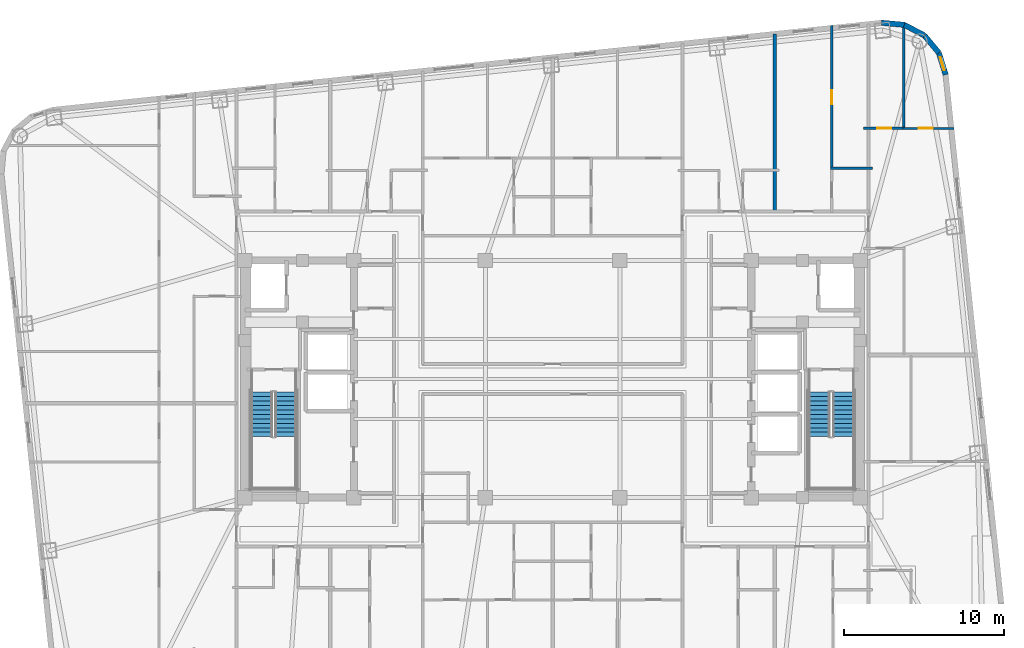
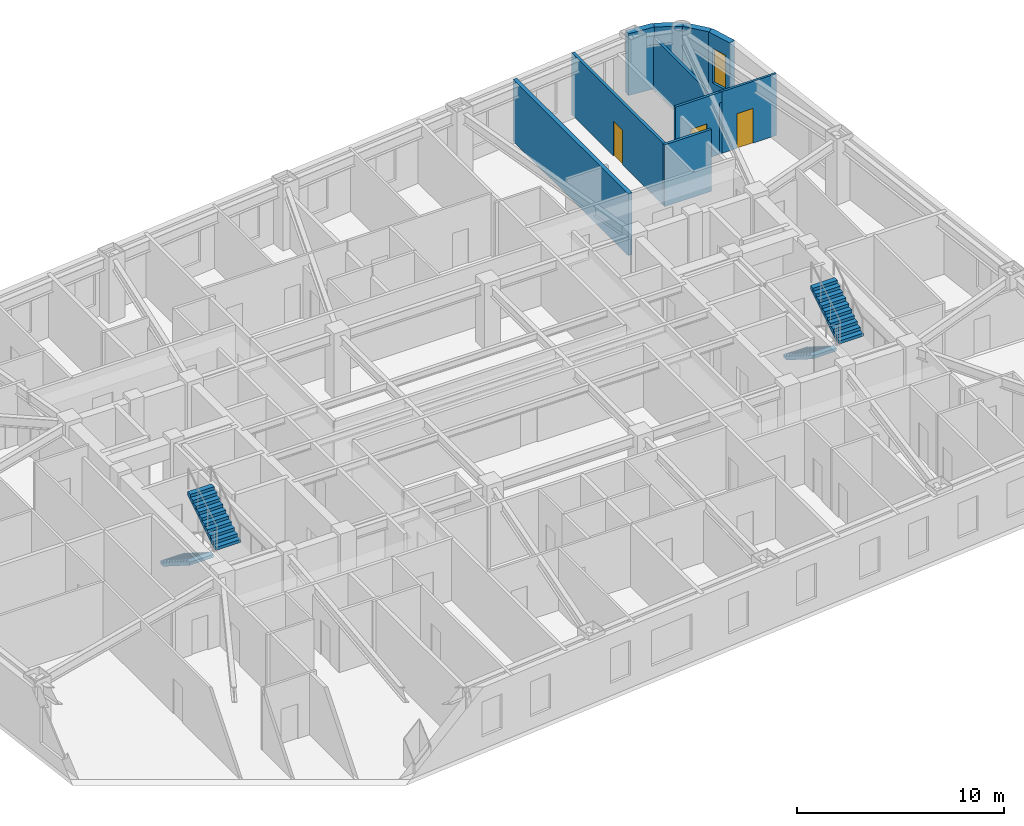
# One storey, part 9 of 12: 10 walls, 4 stair flights, 3 doors, 1 window, 4 openings, 2 elements without a shape of their own.
"""IFC4 building model written with IfcOpenShell, lengths in metres."""

from ifc_helpers import new_model, si_unit, direction, frame, frame_2d, origin, place, context, subcontext, project, spatial, polyline, rectangle, outline, extrude, material, layer, layer_set, type_object, element, fill, aggregate, save


model = new_model("IFC4")

# Units and contexts
model_context = context("Model", 3, precision=1e-05, world=origin(), true_north=direction((0.0, 1.0)))
body_context = subcontext(model_context, "Body", "Model", "MODEL_VIEW")
ifc_project = project(units=[si_unit("LENGTHUNIT", "METRE"), si_unit("AREAUNIT", "SQUARE_METRE"), si_unit("VOLUMEUNIT", "CUBIC_METRE"), si_unit("PLANEANGLEUNIT", "RADIAN"), si_unit("MASSUNIT", "GRAM", prefix="KILO")], contexts=[model_context])

# Site, building, storey
site_placement = place(None, origin())
site = spatial("IfcSite", under=ifc_project, at=site_placement, CompositionType="ELEMENT")
building_placement = place(site_placement, origin())
building = spatial("IfcBuilding", under=site, at=building_placement, Name="Voryun Gate Residences", CompositionType="ELEMENT")
storey_placement = place(building_placement, frame((0.0, 0.0, 159.89990234375)))
storey = spatial("IfcBuildingStorey", under=building, at=storey_placement, Name="L39", CompositionType="ELEMENT", Elevation=159.89990234375)

# Walls
ifc_material_1 = material(Name="Charcoal terracotta masonry", Category="masonry")
ifc_layer_1 = layer(ifc_material_1, 0.340087890625, Name="W_EXT_TERRACOTTA_340")
ifc_layer_set_1 = layer_set([ifc_layer_1], Name="Charcoal terracotta masonry")
wall_type_1 = type_object("IfcWallType", Name="W_EXT_TERRACOTTA_340", PredefinedType="ELEMENTEDWALL", material=ifc_layer_set_1)
wall_1_placement = place(storey_placement, frame((20.5263671875, 22.235107421875, 0.0), z_axis=(0.0, 0.0, 1.0), x_axis=(0.995800460351, -0.091550222087, 0.0)))
element("IfcWall", 1, at=wall_1_placement, inside=storey, type_object=wall_type_1, Name="Exterior wall WEXT-L39-12", PredefinedType="ELEMENTEDWALL", context=body_context, shape_type="SweptSolid", body=[
    extrude(rectangle(XDim=1.43212890625, YDim=0.340087890625, at=frame_2d((0.716064453125, 0.0))), origin(), (0.0, 0.0, 1.0), 3.650146484375),
])
wall_2_placement = place(storey_placement, frame((21.952392578125, 22.10400390625, 0.0), z_axis=(0.0, 0.0, 1.0), x_axis=(0.885023004245, -0.465547292933, 0.0)))
element("IfcWall", 2, at=wall_2_placement, inside=storey, type_object=wall_type_1, Name="Exterior wall WEXT-L39-13", PredefinedType="ELEMENTEDWALL", context=body_context, shape_type="SweptSolid", body=[
    extrude(rectangle(XDim=1.414794921875, YDim=0.340087890625, at=frame_2d((0.70751953125, 0.0))), origin(), (0.0, 0.0, 1.0), 3.650146484375),
])
wall_3_placement = place(storey_placement, frame((23.20458984375, 21.4453125, 0.0), z_axis=(0.0, 0.0, 1.0), x_axis=(0.639539337522, -0.768758372808, 0.0)))
element("IfcWall", 3, at=wall_3_placement, inside=storey, type_object=wall_type_1, Name="Exterior wall WEXT-L39-14", PredefinedType="ELEMENTEDWALL", context=body_context, shape_type="SweptSolid", body=[
    extrude(rectangle(XDim=1.4150390625, YDim=0.340087890625, at=frame_2d((0.70751953125, 0.0))), origin(), (0.0, 0.0, 1.0), 3.650146484375),
])

# Wall, opening, window
wall_4_placement = place(storey_placement, frame((24.109619140625, 20.357421875, 0.0), z_axis=(0.0, 0.0, 1.0), x_axis=(0.296420660287, -0.955057481074, 0.0)))
wall_4 = element("IfcWall", 4, at=wall_4_placement, inside=storey, type_object=wall_type_1, Name="Exterior wall WEXT-L39-15", PredefinedType="ELEMENTEDWALL", context=body_context, shape_type="SweptSolid", body=[
    extrude(rectangle(XDim=1.432373046875, YDim=0.340087890625, at=frame_2d((0.71630859375, 0.0))), origin(), (0.0, 0.0, 1.0), 3.650146484375),
])
opening_1_placement = place(wall_4_placement, frame((0.291015625, 0.0, 0.75)))
opening_1 = element("IfcOpeningElement", 5, at=opening_1_placement, cuts=wall_4, Name="Opening WN9", PredefinedType="OPENING", context=body_context, shape_type="SweptSolid", body=[
    extrude(rectangle(XDim=0.85009765625, YDim=2.050048828125, at=frame_2d((0.425048828125, 1.02490234375))), frame((0.0, 0.179931640625, 0.0), z_axis=(0.0, -1.0, 0.0), x_axis=(1.0, 0.0, 0.0)), (0.0, 0.0, 1.0), 0.360107421875),
])
ifc_material_2 = material(Name="Laminated low-E glass", Category="glass")
window_type = type_object("IfcWindowType", Name="WN_RES_CASEMENT_850", PartitioningType="SINGLE_PANEL", PredefinedType="WINDOW", material=ifc_material_2)
window_placement = place(opening_1_placement, origin())
window = element("IfcWindow", 6, at=window_placement, inside=storey, type_object=window_type, Name="Window WN-L39-DWFIX-27", OverallHeight=2.050048828125, OverallWidth=0.85009765625, PartitioningType="SINGLE_PANEL", PredefinedType="WINDOW", context=body_context, shape_type="SweptSolid", body=[
    extrude(rectangle(XDim=0.85009765625, YDim=2.050048828125, at=frame_2d((0.425048828125, 1.02490234375))), frame((0.0, 0.030029296875, 0.0), z_axis=(0.0, -1.0, 0.0), x_axis=(1.0, 0.0, 0.0)), (0.0, 0.0, 1.0), 0.06005859375),
])
fill(opening_1, window)

# Wall
ifc_material_3 = material(Name="Concrete C40/50", Category="concrete")
ifc_layer_2 = layer(ifc_material_3, 0.219970703125, Name="W_PARTY_ACOUSTIC_220")
ifc_layer_set_2 = layer_set([ifc_layer_2], Name="Concrete C40/50")
wall_type_2 = type_object("IfcWallType", Name="W_PARTY_ACOUSTIC_220", PredefinedType="PARTITIONING", material=ifc_layer_set_2)
wall_5_placement = place(storey_placement, frame((13.864990234375, 10.3701171875, 0.0), z_axis=(0.0, 0.0, 1.0), x_axis=(0.0, 1.0, 0.0)))
element("IfcWall", 7, at=wall_5_placement, inside=storey, type_object=wall_type_2, Name="Partition wall WP-L39-NPTY-4", PredefinedType="PARTITIONING", context=body_context, shape_type="SweptSolid", body=[
    extrude(rectangle(XDim=11.164794921875, YDim=0.219970703125, at=frame_2d((5.58251953125, 0.0))), origin(), (0.0, 0.0, 1.0), 3.650146484375),
])

# Wall, opening, door
ifc_material_4 = material(Name="Gypsum acoustic partition")
ifc_layer_3 = layer(ifc_material_4, 0.125, Name="W_UNIT_PART_125")
ifc_layer_set_3 = layer_set([ifc_layer_3], Name="Gypsum acoustic partition")
wall_type_3 = type_object("IfcWallType", Name="W_UNIT_PART_125", PredefinedType="PARTITIONING", material=ifc_layer_set_3)
wall_6_placement = place(storey_placement, frame((21.860107421875, 15.64208984375, 0.0), z_axis=(0.0, 0.0, 1.0), x_axis=(1.0, 0.0, 0.0)))
wall_6 = element("IfcWall", 8, at=wall_6_placement, inside=storey, type_object=wall_type_3, Name="Partition wall WP-L39-E2-OHZ", PredefinedType="PARTITIONING", context=body_context, shape_type="SweptSolid", body=[
    extrude(rectangle(XDim=3.1767578125, YDim=0.125, at=frame_2d((1.58837890625, 0.0))), origin(), (0.0, 0.0, 1.0), 3.650146484375),
])
opening_2_placement = place(wall_6_placement, frame((0.9794921875, 0.0, 0.0)))
opening_2 = element("IfcOpeningElement", 9, at=opening_2_placement, cuts=wall_6, Name="Opening D-INT-2", PredefinedType="OPENING", context=body_context, shape_type="SweptSolid", body=[
    extrude(rectangle(XDim=0.89990234375, YDim=2.050048828125, at=frame_2d((0.449951171875, 1.02490234375))), frame((0.0, 0.072509765625, 0.0), z_axis=(0.0, -1.0, 0.0), x_axis=(1.0, 0.0, 0.0)), (0.0, 0.0, 1.0), 0.14501953125),
])
ifc_material_5 = material(Name="Architectural oak veneer")
door_type = type_object("IfcDoorType", Name="DR_INT_BATH_900", OperationType="NOTDEFINED", PredefinedType="DOOR", material=ifc_material_5)
door_1_placement = place(opening_2_placement, origin())
door_1 = element("IfcDoor", 10, at=door_1_placement, inside=storey, type_object=door_type, Name="Door DR-L39-E2-DMB", OperationType="SINGLE_SWING_LEFT", OverallHeight=2.050048828125, OverallWidth=0.89990234375, PredefinedType="DOOR", context=body_context, shape_type="SweptSolid", body=[
    extrude(rectangle(XDim=0.89990234375, YDim=2.050048828125, at=frame_2d((0.449951171875, 1.02490234375))), frame((0.0, 0.02490234375, 0.0), z_axis=(0.0, -1.0, 0.0), x_axis=(1.0, 0.0, 0.0)), (0.0, 0.0, 1.0), 0.050048828125),
])
fill(opening_2, door_1)

# Wall
ifc_material_6 = material(Name="Gypsum moisture-resistant partition")
ifc_layer_4 = layer(ifc_material_6, 0.14990234375, Name="W_WET_PLUMB_150")
ifc_layer_set_4 = layer_set([ifc_layer_4], Name="Gypsum moisture-resistant partition")
wall_type_4 = type_object("IfcWallType", Name="W_WET_PLUMB_150", PredefinedType="PLUMBINGWALL", material=ifc_layer_set_4)
wall_7_placement = place(storey_placement, frame((17.3369140625, 13.14990234375, 0.0), z_axis=(0.0, 0.0, 1.0), x_axis=(1.0, 0.0, 0.0)))
element("IfcWall", 11, at=wall_7_placement, inside=storey, type_object=wall_type_4, Name="Partition wall WP-L39-N5-SKB", PredefinedType="PLUMBINGWALL", context=body_context, shape_type="SweptSolid", body=[
    extrude(rectangle(XDim=2.633056640625, YDim=0.14990234375, at=frame_2d((1.31640625, 0.0))), origin(), (0.0, 0.0, 1.0), 3.650146484375),
])

# Wall, opening, door
wall_8_placement = place(storey_placement, frame((17.4169921875, 13.110107421875, 0.0), z_axis=(0.0, 0.0, 1.0), x_axis=(0.0, 1.0, 0.0)))
wall_8 = element("IfcWall", 12, at=wall_8_placement, inside=storey, type_object=wall_type_4, Name="Partition wall WP-L39-N5-SVT2", PredefinedType="PLUMBINGWALL", context=body_context, shape_type="SweptSolid", body=[
    extrude(rectangle(XDim=8.948974609375, YDim=0.14990234375, at=frame_2d((4.474609375, 0.0))), origin(), (0.0, 0.0, 1.0), 3.650146484375),
])
opening_3_placement = place(wall_8_placement, frame((4.024658203125, 0.0, 0.0)))
opening_3 = element("IfcOpeningElement", 13, at=opening_3_placement, cuts=wall_8, Name="Opening D-INT-2", PredefinedType="OPENING", context=body_context, shape_type="SweptSolid", body=[
    extrude(rectangle(XDim=0.89990234375, YDim=2.050048828125, at=frame_2d((0.449951171875, 1.02490234375))), frame((0.0, 0.0849609375, 0.0), z_axis=(0.0, -1.0, 0.0), x_axis=(1.0, 0.0, 0.0)), (0.0, 0.0, 1.0), 0.169921875),
])
door_2_placement = place(opening_3_placement, origin())
door_2 = element("IfcDoor", 14, at=door_2_placement, inside=storey, type_object=door_type, Name="Door DR-L39-N5-DK", OperationType="SINGLE_SWING_RIGHT", OverallHeight=2.050048828125, OverallWidth=0.89990234375, PredefinedType="DOOR", context=body_context, shape_type="SweptSolid", body=[
    extrude(rectangle(XDim=0.89990234375, YDim=2.050048828125, at=frame_2d((0.449951171875, 1.02490234375))), frame((0.0, 0.02490234375, 0.0), z_axis=(0.0, -1.0, 0.0), x_axis=(1.0, 0.0, 0.0)), (0.0, 0.0, 1.0), 0.050048828125),
])
fill(opening_3, door_2)

wall_9_placement = place(storey_placement, frame((19.39990234375, 15.64208984375, 0.0), z_axis=(0.0, 0.0, 1.0), x_axis=(1.0, 0.0, 0.0)))
wall_9 = element("IfcWall", 15, at=wall_9_placement, inside=storey, type_object=wall_type_4, Name="Partition wall WP-L39-E2-IBB", PredefinedType="PLUMBINGWALL", context=body_context, shape_type="SweptSolid", body=[
    extrude(rectangle(XDim=2.60009765625, YDim=0.14990234375, at=frame_2d((1.300048828125, 0.0))), origin(), (0.0, 0.0, 1.0), 3.650146484375),
])
opening_4_placement = place(wall_9_placement, frame((0.85009765625, 0.0, 0.0)))
opening_4 = element("IfcOpeningElement", 16, at=opening_4_placement, cuts=wall_9, Name="Opening D-INT-2", PredefinedType="OPENING", context=body_context, shape_type="SweptSolid", body=[
    extrude(rectangle(XDim=0.89990234375, YDim=2.050048828125, at=frame_2d((0.449951171875, 1.02490234375))), frame((0.0, 0.0849609375, 0.0), z_axis=(0.0, -1.0, 0.0), x_axis=(1.0, 0.0, 0.0)), (0.0, 0.0, 1.0), 0.169921875),
])
door_3_placement = place(opening_4_placement, origin())
door_3 = element("IfcDoor", 17, at=door_3_placement, inside=storey, type_object=door_type, Name="Door DR-L39-E2-DB", OperationType="SINGLE_SWING_RIGHT", OverallHeight=2.050048828125, OverallWidth=0.89990234375, PredefinedType="DOOR", context=body_context, shape_type="SweptSolid", body=[
    extrude(rectangle(XDim=0.89990234375, YDim=2.050048828125, at=frame_2d((0.449951171875, 1.02490234375))), frame((0.0, 0.02490234375, 0.0), z_axis=(0.0, -1.0, 0.0), x_axis=(1.0, 0.0, 0.0)), (0.0, 0.0, 1.0), 0.050048828125),
])
fill(opening_4, door_3)

# Wall
wall_10_placement = place(storey_placement, frame((21.919921875, 15.56201171875, 0.0), z_axis=(0.0, 0.0, 1.0), x_axis=(0.0, 1.0, 0.0)))
element("IfcWall", 18, at=wall_10_placement, inside=storey, type_object=wall_type_4, Name="Partition wall WP-L39-E2-VTB", PredefinedType="PLUMBINGWALL", context=body_context, shape_type="SweptSolid", body=[
    extrude(rectangle(XDim=6.69580078125, YDim=0.14990234375, at=frame_2d((3.347900390625, 0.0))), origin(), (0.0, 0.0, 1.0), 3.0400390625),
])

# Stair, stair flights
ifc_material_7 = material(Name="Concrete C40/50", Category="concrete")
stair_type = type_object("IfcStairType", Name="STR_CORE_DOGLEG_1350", PredefinedType="HALF_TURN_STAIR", material=ifc_material_7)
stair_1_placement = place(storey_placement, origin())
stair_1 = element("IfcStair", 19, at=stair_1_placement, inside=storey, type_object=stair_type, Name="L39 Special Escape Stair ST-W1", PredefinedType="HALF_TURN_STAIR")
ifc_material_8 = material(Name="Concrete C40/50", Category="concrete")
stair_flight_type = type_object("IfcStairFlightType", Name="FLT_CORE_1350", PredefinedType="STRAIGHT", material=ifc_material_8)
stair_flight_1_placement = place(storey_placement, frame((-18.14990234375, -0.800048828125, 0.0), z_axis=(0.0, 0.0, 1.0), x_axis=(0.0, -1.0, 0.0)))
stair_flight_1 = element("IfcStairFlight", 20, at=stair_flight_1_placement, type_object=stair_flight_type, Name="ST-W1 flight 1", NumberOfRisers=11, NumberOfTreads=10, PredefinedType="STRAIGHT", RiserHeight=0.177272727, TreadLength=0.28, context=body_context, shape_type="SweptSolid", body=[
    extrude(outline(polyline([(0.0, 0.0), (0.0, 0.17724609375), (0.280029296875, 0.17724609375), (0.280029296875, 0.3544921875), (0.56005859375, 0.3544921875), (0.56005859375, 0.53173828125), (0.840087890625, 0.53173828125), (0.840087890625, 0.708984375), (1.1201171875, 0.708984375), (1.1201171875, 0.886474609375), (1.39990234375, 0.886474609375), (1.39990234375, 1.063720703125), (1.679931640625, 1.063720703125), (1.679931640625, 1.240966796875), (1.9599609375, 1.240966796875), (1.9599609375, 1.418212890625), (2.239990234375, 1.418212890625), (2.239990234375, 1.595458984375), (2.52001953125, 1.595458984375), (2.52001953125, 1.772705078125), (2.800048828125, 1.772705078125), (2.800048828125, 1.949951171875), (2.800048828125, 1.59521484375), (0.2802734375, 0.0), (0.0, 0.0)])), frame((0.0, 0.675048828125, 0.0), z_axis=(0.0, -1.0, 0.0), x_axis=(1.0, 0.0, 0.0)), (0.0, 0.0, 1.0), 1.35009765625),
])
stair_flight_2_placement = place(storey_placement, frame((-16.64990234375, -3.60009765625, 1.9501953125), z_axis=(0.0, 0.0, 1.0), x_axis=(0.0, 1.0, 0.0)))
stair_flight_2 = element("IfcStairFlight", 21, at=stair_flight_2_placement, type_object=stair_flight_type, Name="ST-W1 flight 2", NumberOfRisers=11, NumberOfTreads=10, PredefinedType="STRAIGHT", RiserHeight=0.177272727, TreadLength=0.28, context=body_context, shape_type="SweptSolid", body=[
    extrude(outline(polyline([(0.0, 0.0), (0.0, 0.17724609375), (0.280029296875, 0.17724609375), (0.280029296875, 0.3544921875), (0.56005859375, 0.3544921875), (0.56005859375, 0.53173828125), (0.840087890625, 0.53173828125), (0.840087890625, 0.708984375), (1.1201171875, 0.708984375), (1.1201171875, 0.886474609375), (1.39990234375, 0.886474609375), (1.39990234375, 1.063720703125), (1.679931640625, 1.063720703125), (1.679931640625, 1.240966796875), (1.9599609375, 1.240966796875), (1.9599609375, 1.418212890625), (2.239990234375, 1.418212890625), (2.239990234375, 1.595458984375), (2.52001953125, 1.595458984375), (2.52001953125, 1.772705078125), (2.800048828125, 1.772705078125), (2.800048828125, 1.949951171875), (2.800048828125, 1.59521484375), (0.2802734375, 0.0), (0.0, 0.0)])), frame((0.0, 0.675048828125, 0.0), z_axis=(0.0, -1.0, 0.0), x_axis=(1.0, 0.0, 0.0)), (0.0, 0.0, 1.0), 1.35009765625),
])
aggregate(stair_1, [stair_flight_1, stair_flight_2])

stair_2_placement = place(storey_placement, origin())
stair_2 = element("IfcStair", 22, at=stair_2_placement, inside=storey, type_object=stair_type, Name="L39 Special Escape Stair ST-E1", PredefinedType="HALF_TURN_STAIR")
stair_flight_3_placement = place(storey_placement, frame((16.64990234375, -0.800048828125, 0.0), z_axis=(0.0, 0.0, 1.0), x_axis=(0.0, -1.0, 0.0)))
stair_flight_3 = element("IfcStairFlight", 23, at=stair_flight_3_placement, type_object=stair_flight_type, Name="ST-E1 flight 1", NumberOfRisers=11, NumberOfTreads=10, PredefinedType="STRAIGHT", RiserHeight=0.177272727, TreadLength=0.28, context=body_context, shape_type="SweptSolid", body=[
    extrude(outline(polyline([(0.0, 0.0), (0.0, 0.17724609375), (0.280029296875, 0.17724609375), (0.280029296875, 0.3544921875), (0.56005859375, 0.3544921875), (0.56005859375, 0.53173828125), (0.840087890625, 0.53173828125), (0.840087890625, 0.708984375), (1.1201171875, 0.708984375), (1.1201171875, 0.886474609375), (1.39990234375, 0.886474609375), (1.39990234375, 1.063720703125), (1.679931640625, 1.063720703125), (1.679931640625, 1.240966796875), (1.9599609375, 1.240966796875), (1.9599609375, 1.418212890625), (2.239990234375, 1.418212890625), (2.239990234375, 1.595458984375), (2.52001953125, 1.595458984375), (2.52001953125, 1.772705078125), (2.800048828125, 1.772705078125), (2.800048828125, 1.949951171875), (2.800048828125, 1.59521484375), (0.2802734375, 0.0), (0.0, 0.0)])), frame((0.0, 0.675048828125, 0.0), z_axis=(0.0, -1.0, 0.0), x_axis=(1.0, 0.0, 0.0)), (0.0, 0.0, 1.0), 1.35009765625),
])
stair_flight_4_placement = place(storey_placement, frame((18.14990234375, -3.60009765625, 1.9501953125), z_axis=(0.0, 0.0, 1.0), x_axis=(0.0, 1.0, 0.0)))
stair_flight_4 = element("IfcStairFlight", 24, at=stair_flight_4_placement, type_object=stair_flight_type, Name="ST-E1 flight 2", NumberOfRisers=11, NumberOfTreads=10, PredefinedType="STRAIGHT", RiserHeight=0.177272727, TreadLength=0.28, context=body_context, shape_type="SweptSolid", body=[
    extrude(outline(polyline([(0.0, 0.0), (0.0, 0.17724609375), (0.280029296875, 0.17724609375), (0.280029296875, 0.3544921875), (0.56005859375, 0.3544921875), (0.56005859375, 0.53173828125), (0.840087890625, 0.53173828125), (0.840087890625, 0.708984375), (1.1201171875, 0.708984375), (1.1201171875, 0.886474609375), (1.39990234375, 0.886474609375), (1.39990234375, 1.063720703125), (1.679931640625, 1.063720703125), (1.679931640625, 1.240966796875), (1.9599609375, 1.240966796875), (1.9599609375, 1.418212890625), (2.239990234375, 1.418212890625), (2.239990234375, 1.595458984375), (2.52001953125, 1.595458984375), (2.52001953125, 1.772705078125), (2.800048828125, 1.772705078125), (2.800048828125, 1.949951171875), (2.800048828125, 1.59521484375), (0.2802734375, 0.0), (0.0, 0.0)])), frame((0.0, 0.675048828125, 0.0), z_axis=(0.0, -1.0, 0.0), x_axis=(1.0, 0.0, 0.0)), (0.0, 0.0, 1.0), 1.35009765625),
])
aggregate(stair_2, [stair_flight_3, stair_flight_4])

save(model, "model.ifc")
